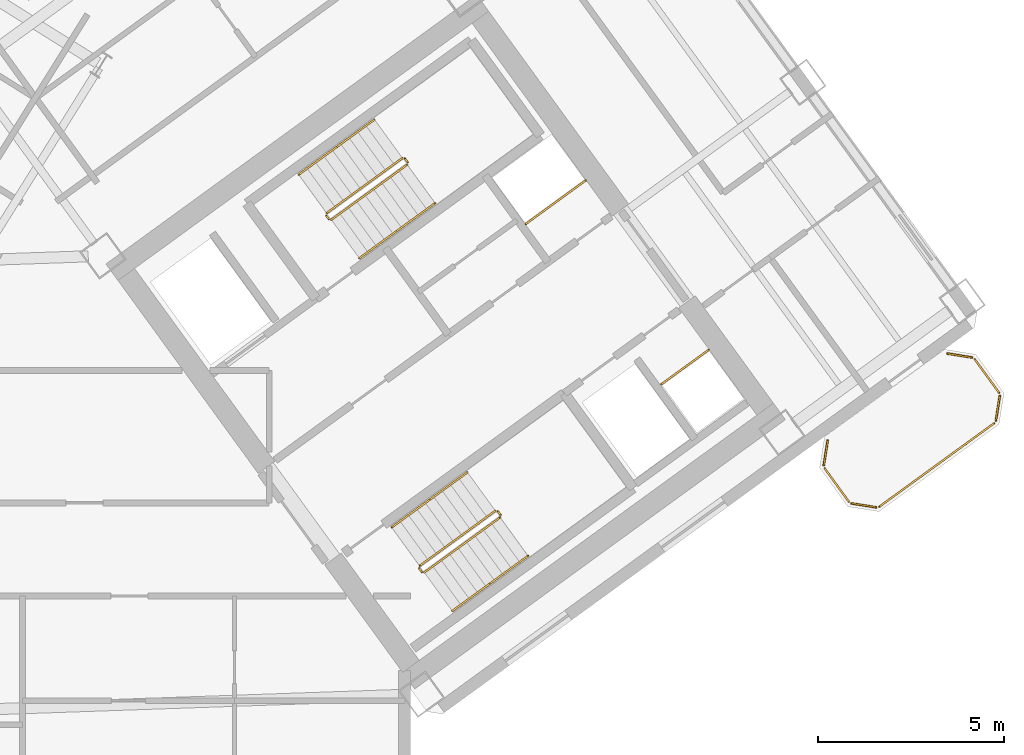
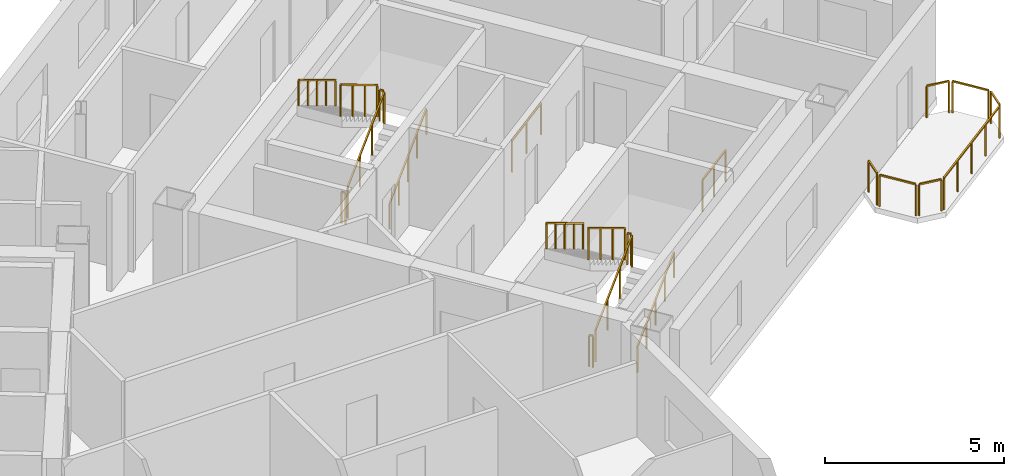
# One storey, part 19 of 20: 25 railings.
"""IFC4 building model written with IfcOpenShell, lengths in metres."""

from ifc_helpers import new_model, si_unit, direction, frame, origin, origin_2d, place, context, subcontext, project, spatial, rectangle, extrude, source, transform, mapped, material, type_object, element, save


model = new_model("IFC4")

# Units and contexts
model_context = context("Model", 3, precision=1e-05, world=origin(), true_north=direction((0.0, 1.0)))
body_context = subcontext(model_context, "Body", "Model", "MODEL_VIEW")
ifc_project = project(units=[si_unit("LENGTHUNIT", "METRE"), si_unit("AREAUNIT", "SQUARE_METRE"), si_unit("VOLUMEUNIT", "CUBIC_METRE"), si_unit("PLANEANGLEUNIT", "RADIAN"), si_unit("MASSUNIT", "GRAM", prefix="KILO")], contexts=[model_context])

# Site, building, storey
site_placement = place(None, origin())
site = spatial("IfcSite", under=ifc_project, at=site_placement, CompositionType="ELEMENT")
building_placement = place(site_placement, origin())
building = spatial("IfcBuilding", under=site, at=building_placement, Name="Tlacorven Tower", CompositionType="ELEMENT")
storey_placement = place(building_placement, frame((0.0, 0.0, 116.10009765625)))
storey = spatial("IfcBuildingStorey", under=building, at=storey_placement, Name="L29", CompositionType="ELEMENT", Elevation=116.10009765625)

# Railings
ifc_material = material(Name="Aluminium and painted steel balustrade", Category="steel")
railing_type_1 = type_object("IfcRailingType", Name="RL-GRD-1100", PredefinedType="GUARDRAIL", material=ifc_material)
shared_shape_1 = source(origin(), body_context, "Body", "SweptSolid", [
    extrude(rectangle(XDim=0.048095703125, YDim=0.048095703125, at=origin_2d()), frame((0.0, 0.0, 1.076171875), z_axis=(0.808947177504, 0.587881334972, 0.0), x_axis=(-0.587881334972, 0.808947177504, 0.0)), (0.0, 0.0, 1.0), 2.0),
    extrude(rectangle(XDim=0.0419921875, YDim=0.0419921875, at=origin_2d()), origin(), (0.0, 0.0, 1.0), 1.052001953125),
    extrude(rectangle(XDim=0.0419921875, YDim=0.0419921875, at=origin_2d()), frame((0.80908203125, 0.587890625, 0.0)), (0.0, 0.0, 1.0), 1.052001953125),
    extrude(rectangle(XDim=0.0419921875, YDim=0.0419921875, at=origin_2d()), frame((1.617919921875, 1.17578125, 0.0)), (0.0, 0.0, 1.0), 1.052001953125),
])
railing_1_placement = place(storey_placement, frame((55.506103515625, 25.438232421875, 0.0)))
element("IfcRailing", 1, at=railing_1_placement, inside=storey, type_object=railing_type_1, Name="L29 Electrical Riser E Shaft Guard 1", PredefinedType="GUARDRAIL", context=body_context, shape_type="MappedRepresentation", body=[
    mapped(shared_shape_1, transform((0.0, 0.0, 0.0), scale=1.0)),
])
shared_shape_2 = source(origin(), body_context, "Body", "SweptSolid", [
    extrude(rectangle(XDim=0.048095703125, YDim=0.048095703125, at=origin_2d()), frame((0.0, 0.0, 1.076171875), z_axis=(0.809029975545, 0.58776738483, 0.0), x_axis=(-0.58776738483, 0.809029975545, 0.0)), (0.0, 0.0, 1.0), 1.580078125),
    extrude(rectangle(XDim=0.0419921875, YDim=0.0419921875, at=origin_2d()), origin(), (0.0, 0.0, 1.0), 1.052001953125),
    extrude(rectangle(XDim=0.0419921875, YDim=0.0419921875, at=origin_2d()), frame((0.63916015625, 0.46435546875, 0.0)), (0.0, 0.0, 1.0), 1.052001953125),
    extrude(rectangle(XDim=0.0419921875, YDim=0.0419921875, at=origin_2d()), frame((1.2783203125, 0.9287109375, 0.0)), (0.0, 0.0, 1.0), 1.052001953125),
])
railing_2_placement = place(storey_placement, frame((59.160888671875, 21.122314453125, 0.0)))
element("IfcRailing", 2, at=railing_2_placement, inside=storey, type_object=railing_type_1, Name="L29 Smoke Riser E Shaft Guard 1", PredefinedType="GUARDRAIL", context=body_context, shape_type="MappedRepresentation", body=[
    mapped(shared_shape_2, transform((0.0, 0.0, 0.0), scale=1.0)),
])
railing_type_2 = type_object("IfcRailingType", Name="RL-BAL-1100", PredefinedType="BALUSTRADE", material=ifc_material)
shared_shape_3 = source(origin(), body_context, "Body", "SweptSolid", [
    extrude(rectangle(XDim=0.048095703125, YDim=0.048095703125, at=origin_2d()), frame((0.0, 0.0, 1.076171875), z_axis=(0.156602868908, 0.987661653326, 0.0), x_axis=(-0.987661653326, 0.156602868908, 0.0)), (0.0, 0.0, 1.0), 0.665771484375),
    extrude(rectangle(XDim=0.0419921875, YDim=0.0419921875, at=origin_2d()), origin(), (0.0, 0.0, 1.0), 1.052001953125),
    extrude(rectangle(XDim=0.0419921875, YDim=0.0419921875, at=origin_2d()), frame((0.104248046875, 0.657470703125, 0.0)), (0.0, 0.0, 1.0), 1.052001953125),
])
railing_3_placement = place(storey_placement, frame((63.539306640625, 18.949951171875, 0.0)))
element("IfcRailing", 3, at=railing_3_placement, inside=storey, type_object=railing_type_2, Name="BAL-L29-E-OUT Guard Railing 3", PredefinedType="BALUSTRADE", context=body_context, shape_type="MappedRepresentation", body=[
    mapped(shared_shape_3, transform((0.0, 0.0, 0.0), scale=1.0)),
])
shared_shape_4 = source(origin(), body_context, "Body", "SweptSolid", [
    extrude(rectangle(XDim=0.048095703125, YDim=0.048095703125, at=origin_2d()), frame((0.0, 0.0, 1.076171875), z_axis=(0.58788449985, -0.808944877501, 0.0), x_axis=(0.808944877501, 0.58788449985, 0.0)), (0.0, 0.0, 1.0), 1.112060546875),
    extrude(rectangle(XDim=0.0419921875, YDim=0.0419921875, at=origin_2d()), origin(), (0.0, 0.0, 1.0), 1.052001953125),
    extrude(rectangle(XDim=0.0419921875, YDim=0.0419921875, at=origin_2d()), frame((0.65380859375, -0.899658203125, 0.0)), (0.0, 0.0, 1.0), 1.052001953125),
])
railing_4_placement = place(storey_placement, frame((67.60595703125, 21.799072265625, 0.0)))
element("IfcRailing", 4, at=railing_4_placement, inside=storey, type_object=railing_type_2, Name="BAL-L29-E-OUT Guard Railing 5", PredefinedType="BALUSTRADE", context=body_context, shape_type="MappedRepresentation", body=[
    mapped(shared_shape_4, transform((0.0, 0.0, 0.0), scale=1.0)),
])
shared_shape_5 = source(origin(), body_context, "Body", "SweptSolid", [
    extrude(rectangle(XDim=0.048095703125, YDim=0.048095703125, at=origin_2d()), frame((0.0, 0.0, 1.076171875), z_axis=(-0.809018102573, -0.587783726986, 0.0), x_axis=(0.587783726986, -0.809018102573, 0.0)), (0.0, 0.0, 1.0), 3.817138671875),
    extrude(rectangle(XDim=0.0419921875, YDim=0.0419921875, at=origin_2d()), origin(), (0.0, 0.0, 1.0), 1.052001953125),
    extrude(rectangle(XDim=0.0419921875, YDim=0.0419921875, at=origin_2d()), frame((-0.77197265625, -0.56103515625, 0.0)), (0.0, 0.0, 1.0), 1.052001953125),
    extrude(rectangle(XDim=0.0419921875, YDim=0.0419921875, at=origin_2d()), frame((-1.5439453125, -1.121826171875, 0.0)), (0.0, 0.0, 1.0), 1.052001953125),
    extrude(rectangle(XDim=0.0419921875, YDim=0.0419921875, at=origin_2d()), frame((-2.316162109375, -1.6826171875, 0.0)), (0.0, 0.0, 1.0), 1.052001953125),
    extrude(rectangle(XDim=0.0419921875, YDim=0.0419921875, at=origin_2d()), frame((-3.088134765625, -2.24365234375, 0.0)), (0.0, 0.0, 1.0), 1.052001953125),
])
railing_5_placement = place(storey_placement, frame((68.12890625, 20.0732421875, 0.0)))
element("IfcRailing", 5, at=railing_5_placement, inside=storey, type_object=railing_type_2, Name="BAL-L29-E-OUT Guard Railing 7", PredefinedType="BALUSTRADE", context=body_context, shape_type="MappedRepresentation", body=[
    mapped(shared_shape_5, transform((0.0, 0.0, 0.0), scale=1.0)),
])
shared_shape_6 = source(origin(), body_context, "Body", "SweptSolid", [
    extrude(rectangle(XDim=0.048095703125, YDim=0.048095703125, at=origin_2d()), frame((0.0, 0.0, 1.076171875), z_axis=(-0.987718317463, 0.156245081039, 0.0), x_axis=(-0.156245081039, -0.987718317463, 0.0)), (0.0, 0.0, 1.0), 0.66552734375),
    extrude(rectangle(XDim=0.0419921875, YDim=0.0419921875, at=origin_2d()), origin(), (0.0, 0.0, 1.0), 1.052001953125),
    extrude(rectangle(XDim=0.0419921875, YDim=0.0419921875, at=origin_2d()), frame((-0.657470703125, 0.10400390625, 0.0)), (0.0, 0.0, 1.0), 1.052001953125),
])
railing_6_placement = place(storey_placement, frame((64.950927734375, 17.80810546875, 0.0)))
element("IfcRailing", 6, at=railing_6_placement, inside=storey, type_object=railing_type_2, Name="BAL-L29-E-OUT Guard Railing 1", PredefinedType="BALUSTRADE", context=body_context, shape_type="MappedRepresentation", body=[
    mapped(shared_shape_6, transform((0.0, 0.0, 0.0), scale=1.0)),
])
shared_shape_7 = source(origin(), body_context, "Body", "SweptSolid", [
    extrude(rectangle(XDim=0.048095703125, YDim=0.048095703125, at=origin_2d()), frame((0.0, 0.0, 1.076171875), z_axis=(-0.587740817519, 0.809049276263, 0.0), x_axis=(-0.809049276263, -0.587740817519, 0.0)), (0.0, 0.0, 1.0), 1.112060546875),
    extrude(rectangle(XDim=0.0419921875, YDim=0.0419921875, at=origin_2d()), origin(), (0.0, 0.0, 1.0), 1.052001953125),
    extrude(rectangle(XDim=0.0419921875, YDim=0.0419921875, at=origin_2d()), frame((-0.653564453125, 0.899658203125, 0.0)), (0.0, 0.0, 1.0), 1.052001953125),
])
railing_7_placement = place(storey_placement, frame((64.214599609375, 17.96044921875, 0.0)))
element("IfcRailing", 7, at=railing_7_placement, inside=storey, type_object=railing_type_2, Name="BAL-L29-E-OUT Guard Railing 2", PredefinedType="BALUSTRADE", context=body_context, shape_type="MappedRepresentation", body=[
    mapped(shared_shape_7, transform((0.0, 0.0, 0.0), scale=1.0)),
])
shared_shape_8 = source(origin(), body_context, "Body", "SweptSolid", [
    extrude(rectangle(XDim=0.048095703125, YDim=0.048095703125, at=origin_2d()), frame((0.0, 0.0, 1.076171875), z_axis=(-0.156245081039, -0.987718317463, 0.0), x_axis=(0.987718317463, -0.156245081039, 0.0)), (0.0, 0.0, 1.0), 0.66552734375),
    extrude(rectangle(XDim=0.0419921875, YDim=0.0419921875, at=origin_2d()), origin(), (0.0, 0.0, 1.0), 1.052001953125),
    extrude(rectangle(XDim=0.0419921875, YDim=0.0419921875, at=origin_2d()), frame((-0.10400390625, -0.657470703125, 0.0)), (0.0, 0.0, 1.0), 1.052001953125),
])
railing_8_placement = place(storey_placement, frame((68.28125, 20.8095703125, 0.0)))
element("IfcRailing", 8, at=railing_8_placement, inside=storey, type_object=railing_type_2, Name="BAL-L29-E-OUT Guard Railing 6", PredefinedType="BALUSTRADE", context=body_context, shape_type="MappedRepresentation", body=[
    mapped(shared_shape_8, transform((0.0, 0.0, 0.0), scale=1.0)),
])
shared_shape_9 = source(origin(), body_context, "Body", "SweptSolid", [
    extrude(rectangle(XDim=0.048095703125, YDim=0.048095703125, at=origin_2d()), frame((0.0, 0.0, 1.076171875), z_axis=(0.987727266442, -0.156188498702, 0.0), x_axis=(0.156188498702, 0.987727266442, 0.0)), (0.0, 0.0, 1.0), 0.665771484375),
    extrude(rectangle(XDim=0.0419921875, YDim=0.0419921875, at=origin_2d()), origin(), (0.0, 0.0, 1.0), 1.052001953125),
    extrude(rectangle(XDim=0.0419921875, YDim=0.0419921875, at=origin_2d()), frame((0.65771484375, -0.10400390625, 0.0)), (0.0, 0.0, 1.0), 1.052001953125),
])
railing_9_placement = place(storey_placement, frame((66.86962890625, 21.951416015625, 0.0)))
element("IfcRailing", 9, at=railing_9_placement, inside=storey, type_object=railing_type_2, Name="BAL-L29-E-OUT Guard Railing 4", PredefinedType="BALUSTRADE", context=body_context, shape_type="MappedRepresentation", body=[
    mapped(shared_shape_9, transform((0.0, 0.0, 0.0), scale=1.0)),
])
shared_shape_10 = source(origin(), body_context, "Body", "SweptSolid", [
    extrude(rectangle(XDim=0.048095703125, YDim=0.048095703125, at=origin_2d()), frame((0.0, 0.0, 1.076171875), z_axis=(-0.587567097037, 0.809175448515, 0.0), x_axis=(-0.809175448515, -0.587567097037, 0.0)), (0.0, 0.0, 1.0), 0.1201171875),
    extrude(rectangle(XDim=0.0419921875, YDim=0.0419921875, at=origin_2d()), origin(), (0.0, 0.0, 1.0), 1.052001953125),
    extrude(rectangle(XDim=0.0419921875, YDim=0.0419921875, at=origin_2d()), frame((-0.070556640625, 0.09716796875, 0.0)), (0.0, 0.0, 1.0), 1.052001953125),
])
for number, where, name in (
    (10, (54.8310546875, 17.605712890625, 1.7998046875), "L29 ST-E2 stair guard 2"),
    (11, (52.71142578125, 16.065673828125, 0.0), "L29 ST-E2 stair guard 4"),
):
    element("IfcRailing", number, at=place(storey_placement, frame(where)), inside=storey, type_object=railing_type_1, Name=name, PredefinedType="GUARDRAIL", context=body_context, shape_type="MappedRepresentation", body=[
        mapped(shared_shape_10, transform((0.0, 0.0, 0.0), scale=1.0)),
    ])
shared_shape_11 = source(origin(), body_context, "Body", "SweptSolid", [
    extrude(rectangle(XDim=0.048095703125, YDim=0.048095703125, at=origin_2d()), frame((0.0, 0.0, 1.076171875), z_axis=(-0.587201422542, 0.809440849824, 0.0), x_axis=(-0.809440849824, -0.587201422542, 0.0)), (0.0, 0.0, 1.0), 0.11962890625),
    extrude(rectangle(XDim=0.0419921875, YDim=0.0419921875, at=origin_2d()), origin(), (0.0, 0.0, 1.0), 1.052001953125),
    extrude(rectangle(XDim=0.0419921875, YDim=0.0419921875, at=origin_2d()), frame((-0.0703125, 0.096923828125, 0.0)), (0.0, 0.0, 1.0), 1.052001953125),
])
for number, where, name in (
    (12, (52.326904296875, 27.10888671875, 1.7998046875), "L29 ST-E1 stair guard 2"),
    (13, (50.207275390625, 25.56884765625, 0.0), "L29 ST-E1 stair guard 4"),
):
    element("IfcRailing", number, at=place(storey_placement, frame(where)), inside=storey, type_object=railing_type_1, Name=name, PredefinedType="GUARDRAIL", context=body_context, shape_type="MappedRepresentation", body=[
        mapped(shared_shape_11, transform((0.0, 0.0, 0.0), scale=1.0)),
    ])
railing_type_3 = type_object("IfcRailingType", Name="RL-HND-0900", PredefinedType="HANDRAIL", material=ifc_material)
shared_shape_12 = source(origin(), body_context, "Body", "SweptSolid", [
    extrude(rectangle(XDim=0.048095703125, YDim=0.048095703125, at=origin_2d()), frame((0.0, 0.0, 0.8759765625), z_axis=(0.680516055757, 0.494372502302, 0.540826891737), x_axis=(-0.587745292299, 0.809046025502, 0.0)), (0.0, 0.0, 1.0), 1.497802734375),
    extrude(rectangle(XDim=0.0419921875, YDim=0.0419921875, at=origin_2d()), origin(), (0.0, 0.0, 1.0), 0.851806640625),
    extrude(rectangle(XDim=0.0419921875, YDim=0.0419921875, at=origin_2d()), frame((0.509765625, 0.3701171875, 0.405029296875)), (0.0, 0.0, 1.0), 0.851806640625),
    extrude(rectangle(XDim=0.0419921875, YDim=0.0419921875, at=origin_2d()), frame((1.019287109375, 0.740478515625, 0.81005859375)), (0.0, 0.0, 1.0), 0.851806640625),
])
railing_10_placement = place(storey_placement, frame((51.029541015625, 24.522216796875, 0.179931640625)))
element("IfcRailing", 14, at=railing_10_placement, inside=storey, type_object=railing_type_3, Name="L29 ST-E1 stair handrail 1", PredefinedType="HANDRAIL", context=body_context, shape_type="MappedRepresentation", body=[
    mapped(shared_shape_12, transform((0.0, 0.0, 0.0), scale=1.0)),
])
shared_shape_13 = source(origin(), body_context, "Body", "SweptSolid", [
    extrude(rectangle(XDim=0.048095703125, YDim=0.048095703125, at=origin_2d()), frame((0.0, 0.0, 0.8759765625), z_axis=(-0.680461216233, -0.494495647917, 0.540783309093), x_axis=(0.587872112667, -0.808953879494, 0.0)), (0.0, 0.0, 1.0), 1.498046875),
    extrude(rectangle(XDim=0.0419921875, YDim=0.0419921875, at=origin_2d()), origin(), (0.0, 0.0, 1.0), 0.851806640625),
    extrude(rectangle(XDim=0.0419921875, YDim=0.0419921875, at=origin_2d()), frame((-0.509765625, -0.370361328125, 0.405029296875)), (0.0, 0.0, 1.0), 0.851806640625),
    extrude(rectangle(XDim=0.0419921875, YDim=0.0419921875, at=origin_2d()), frame((-1.019287109375, -0.74072265625, 0.81005859375)), (0.0, 0.0, 1.0), 0.851806640625),
])
for number, where, name in (
    (15, (50.414794921875, 27.511962890625, 2.789794921875), "L29 ST-E1 stair handrail 4"),
    (16, (52.9189453125, 18.0087890625, 2.789794921875), "L29 ST-E2 stair handrail 4"),
):
    element("IfcRailing", number, at=place(storey_placement, frame(where)), inside=storey, type_object=railing_type_3, Name=name, PredefinedType="HANDRAIL", context=body_context, shape_type="MappedRepresentation", body=[
        mapped(shared_shape_13, transform((0.0, 0.0, 0.0), scale=1.0)),
    ])
shared_shape_14 = source(origin(), body_context, "Body", "SweptSolid", [
    extrude(rectangle(XDim=0.048095703125, YDim=0.048095703125, at=origin_2d()), frame((0.0, 0.0, 1.076171875), z_axis=(0.680518627673, 0.494455869951, 0.540747436481), x_axis=(-0.5878087079, 0.808999952359, 0.0)), (0.0, 0.0, 1.0), 2.99560546875),
    extrude(rectangle(XDim=0.0419921875, YDim=0.0419921875, at=origin_2d()), origin(), (0.0, 0.0, 1.0), 1.052001953125),
    extrude(rectangle(XDim=0.0419921875, YDim=0.0419921875, at=origin_2d()), frame((0.679443359375, 0.49365234375, 0.5400390625)), (0.0, 0.0, 1.0), 1.052001953125),
    extrude(rectangle(XDim=0.0419921875, YDim=0.0419921875, at=origin_2d()), frame((1.359130859375, 0.987548828125, 1.079833984375)), (0.0, 0.0, 1.0), 1.052001953125),
    extrude(rectangle(XDim=0.0419921875, YDim=0.0419921875, at=origin_2d()), frame((2.03857421875, 1.481201171875, 1.619873046875)), (0.0, 0.0, 1.0), 1.052001953125),
])
railing_11_placement = place(storey_placement, frame((50.27734375, 25.557861328125, 0.179931640625)))
element("IfcRailing", 17, at=railing_11_placement, inside=storey, type_object=railing_type_1, Name="L29 ST-E1 stair guard 1", PredefinedType="GUARDRAIL", context=body_context, shape_type="MappedRepresentation", body=[
    mapped(shared_shape_14, transform((0.0, 0.0, 0.0), scale=1.0)),
])
shared_shape_15 = source(origin(), body_context, "Body", "SweptSolid", [
    extrude(rectangle(XDim=0.048095703125, YDim=0.048095703125, at=origin_2d()), frame((0.0, 0.0, 1.076171875), z_axis=(-0.680518627673, -0.494455869951, 0.540747436481), x_axis=(0.5878087079, -0.808999952359, 0.0)), (0.0, 0.0, 1.0), 2.99560546875),
    extrude(rectangle(XDim=0.0419921875, YDim=0.0419921875, at=origin_2d()), origin(), (0.0, 0.0, 1.0), 1.052001953125),
    extrude(rectangle(XDim=0.0419921875, YDim=0.0419921875, at=origin_2d()), frame((-0.679443359375, -0.49365234375, 0.5400390625)), (0.0, 0.0, 1.0), 1.052001953125),
    extrude(rectangle(XDim=0.0419921875, YDim=0.0419921875, at=origin_2d()), frame((-1.359130859375, -0.987548828125, 1.079833984375)), (0.0, 0.0, 1.0), 1.052001953125),
    extrude(rectangle(XDim=0.0419921875, YDim=0.0419921875, at=origin_2d()), frame((-2.03857421875, -1.481201171875, 1.619873046875)), (0.0, 0.0, 1.0), 1.052001953125),
])
railing_12_placement = place(storey_placement, frame((52.1865234375, 27.217041015625, 1.97998046875)))
element("IfcRailing", 18, at=railing_12_placement, inside=storey, type_object=railing_type_1, Name="L29 ST-E1 stair guard 3", PredefinedType="GUARDRAIL", context=body_context, shape_type="MappedRepresentation", body=[
    mapped(shared_shape_15, transform((0.0, 0.0, 0.0), scale=1.0)),
])
shared_shape_16 = source(origin(), body_context, "Body", "SweptSolid", [
    extrude(rectangle(XDim=0.048095703125, YDim=0.048095703125, at=origin_2d()), frame((0.0, 0.0, 0.8759765625), z_axis=(0.680608688748, 0.494484377792, 0.540608003012), x_axis=(-0.587779977844, 0.80902082646, 0.0)), (0.0, 0.0, 1.0), 1.498046875),
    extrude(rectangle(XDim=0.0419921875, YDim=0.0419921875, at=origin_2d()), origin(), (0.0, 0.0, 1.0), 0.851806640625),
    extrude(rectangle(XDim=0.0419921875, YDim=0.0419921875, at=origin_2d()), frame((0.509765625, 0.370361328125, 0.40478515625)), (0.0, 0.0, 1.0), 0.851806640625),
    extrude(rectangle(XDim=0.0419921875, YDim=0.0419921875, at=origin_2d()), frame((1.01953125, 0.74072265625, 0.809814453125)), (0.0, 0.0, 1.0), 0.851806640625),
])
railing_13_placement = place(storey_placement, frame((52.048828125, 25.2626953125, 0.989990234375)))
element("IfcRailing", 19, at=railing_13_placement, inside=storey, type_object=railing_type_3, Name="L29 ST-E1 stair handrail 2", PredefinedType="HANDRAIL", context=body_context, shape_type="MappedRepresentation", body=[
    mapped(shared_shape_16, transform((0.0, 0.0, 0.0), scale=1.0)),
])
shared_shape_17 = source(origin(), body_context, "Body", "SweptSolid", [
    extrude(rectangle(XDim=0.048095703125, YDim=0.048095703125, at=origin_2d()), frame((0.0, 0.0, 0.8759765625), z_axis=(-0.680663537655, -0.494361233168, 0.540651569541), x_axis=(0.587653156371, -0.809112951205, 0.0)), (0.0, 0.0, 1.0), 1.497802734375),
    extrude(rectangle(XDim=0.0419921875, YDim=0.0419921875, at=origin_2d()), origin(), (0.0, 0.0, 1.0), 0.851806640625),
    extrude(rectangle(XDim=0.0419921875, YDim=0.0419921875, at=origin_2d()), frame((-0.509765625, -0.3701171875, 0.40478515625)), (0.0, 0.0, 1.0), 0.851806640625),
    extrude(rectangle(XDim=0.0419921875, YDim=0.0419921875, at=origin_2d()), frame((-1.01953125, -0.740478515625, 0.809814453125)), (0.0, 0.0, 1.0), 0.851806640625),
])
railing_14_placement = place(storey_placement, frame((51.434326171875, 28.25244140625, 1.97998046875)))
element("IfcRailing", 20, at=railing_14_placement, inside=storey, type_object=railing_type_3, Name="L29 ST-E1 stair handrail 3", PredefinedType="HANDRAIL", context=body_context, shape_type="MappedRepresentation", body=[
    mapped(shared_shape_17, transform((0.0, 0.0, 0.0), scale=1.0)),
])
shared_shape_18 = source(origin(), body_context, "Body", "SweptSolid", [
    extrude(rectangle(XDim=0.048095703125, YDim=0.048095703125, at=origin_2d()), frame((0.0, 0.0, 0.8759765625), z_axis=(0.680576044605, 0.494416082224, 0.54071155448), x_axis=(-0.587745292299, 0.809046025502, 0.0)), (0.0, 0.0, 1.0), 1.497802734375),
    extrude(rectangle(XDim=0.0419921875, YDim=0.0419921875, at=origin_2d()), origin(), (0.0, 0.0, 1.0), 0.851806640625),
    extrude(rectangle(XDim=0.0419921875, YDim=0.0419921875, at=origin_2d()), frame((0.509765625, 0.3701171875, 0.40478515625)), (0.0, 0.0, 1.0), 0.851806640625),
    extrude(rectangle(XDim=0.0419921875, YDim=0.0419921875, at=origin_2d()), frame((1.019287109375, 0.740478515625, 0.809814453125)), (0.0, 0.0, 1.0), 0.851806640625),
])
railing_15_placement = place(storey_placement, frame((54.552978515625, 15.759765625, 0.989990234375)))
element("IfcRailing", 21, at=railing_15_placement, inside=storey, type_object=railing_type_3, Name="L29 ST-E2 stair handrail 2", PredefinedType="HANDRAIL", context=body_context, shape_type="MappedRepresentation", body=[
    mapped(shared_shape_18, transform((0.0, 0.0, 0.0), scale=1.0)),
])
shared_shape_19 = source(origin(), body_context, "Body", "SweptSolid", [
    extrude(rectangle(XDim=0.048095703125, YDim=0.048095703125, at=origin_2d()), frame((0.0, 0.0, 0.8759765625), z_axis=(0.680461216233, 0.494495647917, 0.540783309093), x_axis=(-0.587872112667, 0.808953879494, 0.0)), (0.0, 0.0, 1.0), 1.498046875),
    extrude(rectangle(XDim=0.0419921875, YDim=0.0419921875, at=origin_2d()), origin(), (0.0, 0.0, 1.0), 0.851806640625),
    extrude(rectangle(XDim=0.0419921875, YDim=0.0419921875, at=origin_2d()), frame((0.509765625, 0.370361328125, 0.405029296875)), (0.0, 0.0, 1.0), 0.851806640625),
    extrude(rectangle(XDim=0.0419921875, YDim=0.0419921875, at=origin_2d()), frame((1.019287109375, 0.74072265625, 0.81005859375)), (0.0, 0.0, 1.0), 0.851806640625),
])
railing_16_placement = place(storey_placement, frame((53.53369140625, 15.01904296875, 0.179931640625)))
element("IfcRailing", 22, at=railing_16_placement, inside=storey, type_object=railing_type_3, Name="L29 ST-E2 stair handrail 1", PredefinedType="HANDRAIL", context=body_context, shape_type="MappedRepresentation", body=[
    mapped(shared_shape_19, transform((0.0, 0.0, 0.0), scale=1.0)),
])
shared_shape_20 = source(origin(), body_context, "Body", "SweptSolid", [
    extrude(rectangle(XDim=0.048095703125, YDim=0.048095703125, at=origin_2d()), frame((0.0, 0.0, 1.076171875), z_axis=(0.680562380517, 0.494428447203, 0.540717446381), x_axis=(-0.587762637553, 0.809033424462, 0.0)), (0.0, 0.0, 1.0), 2.995849609375),
    extrude(rectangle(XDim=0.0419921875, YDim=0.0419921875, at=origin_2d()), origin(), (0.0, 0.0, 1.0), 1.052001953125),
    extrude(rectangle(XDim=0.0419921875, YDim=0.0419921875, at=origin_2d()), frame((0.6796875, 0.49365234375, 0.5400390625)), (0.0, 0.0, 1.0), 1.052001953125),
    extrude(rectangle(XDim=0.0419921875, YDim=0.0419921875, at=origin_2d()), frame((1.359130859375, 0.987548828125, 1.079833984375)), (0.0, 0.0, 1.0), 1.052001953125),
    extrude(rectangle(XDim=0.0419921875, YDim=0.0419921875, at=origin_2d()), frame((2.038818359375, 1.481201171875, 1.619873046875)), (0.0, 0.0, 1.0), 1.052001953125),
])
railing_17_placement = place(storey_placement, frame((52.78125, 16.0546875, 0.179931640625)))
element("IfcRailing", 23, at=railing_17_placement, inside=storey, type_object=railing_type_1, Name="L29 ST-E2 stair guard 1", PredefinedType="GUARDRAIL", context=body_context, shape_type="MappedRepresentation", body=[
    mapped(shared_shape_20, transform((0.0, 0.0, 0.0), scale=1.0)),
])
shared_shape_21 = source(origin(), body_context, "Body", "SweptSolid", [
    extrude(rectangle(XDim=0.048095703125, YDim=0.048095703125, at=origin_2d()), frame((0.0, 0.0, 1.076171875), z_axis=(-0.680562380517, -0.494428447203, 0.540717446381), x_axis=(0.587762637553, -0.809033424462, 0.0)), (0.0, 0.0, 1.0), 2.995849609375),
    extrude(rectangle(XDim=0.0419921875, YDim=0.0419921875, at=origin_2d()), origin(), (0.0, 0.0, 1.0), 1.052001953125),
    extrude(rectangle(XDim=0.0419921875, YDim=0.0419921875, at=origin_2d()), frame((-0.6796875, -0.49365234375, 0.5400390625)), (0.0, 0.0, 1.0), 1.052001953125),
    extrude(rectangle(XDim=0.0419921875, YDim=0.0419921875, at=origin_2d()), frame((-1.359130859375, -0.987548828125, 1.079833984375)), (0.0, 0.0, 1.0), 1.052001953125),
    extrude(rectangle(XDim=0.0419921875, YDim=0.0419921875, at=origin_2d()), frame((-2.038818359375, -1.481201171875, 1.619873046875)), (0.0, 0.0, 1.0), 1.052001953125),
])
railing_18_placement = place(storey_placement, frame((54.690673828125, 17.7138671875, 1.97998046875)))
element("IfcRailing", 24, at=railing_18_placement, inside=storey, type_object=railing_type_1, Name="L29 ST-E2 stair guard 3", PredefinedType="GUARDRAIL", context=body_context, shape_type="MappedRepresentation", body=[
    mapped(shared_shape_21, transform((0.0, 0.0, 0.0), scale=1.0)),
])
shared_shape_22 = source(origin(), body_context, "Body", "SweptSolid", [
    extrude(rectangle(XDim=0.048095703125, YDim=0.048095703125, at=origin_2d()), frame((0.0, 0.0, 0.8759765625), z_axis=(-0.680576044605, -0.494416082224, 0.54071155448), x_axis=(0.587745292299, -0.809046025502, 0.0)), (0.0, 0.0, 1.0), 1.497802734375),
    extrude(rectangle(XDim=0.0419921875, YDim=0.0419921875, at=origin_2d()), origin(), (0.0, 0.0, 1.0), 0.851806640625),
    extrude(rectangle(XDim=0.0419921875, YDim=0.0419921875, at=origin_2d()), frame((-0.509765625, -0.3701171875, 0.40478515625)), (0.0, 0.0, 1.0), 0.851806640625),
    extrude(rectangle(XDim=0.0419921875, YDim=0.0419921875, at=origin_2d()), frame((-1.019287109375, -0.740478515625, 0.809814453125)), (0.0, 0.0, 1.0), 0.851806640625),
])
railing_19_placement = place(storey_placement, frame((53.938232421875, 18.749267578125, 1.97998046875)))
element("IfcRailing", 25, at=railing_19_placement, inside=storey, type_object=railing_type_3, Name="L29 ST-E2 stair handrail 3", PredefinedType="HANDRAIL", context=body_context, shape_type="MappedRepresentation", body=[
    mapped(shared_shape_22, transform((0.0, 0.0, 0.0), scale=1.0)),
])

save(model, "model.ifc")
